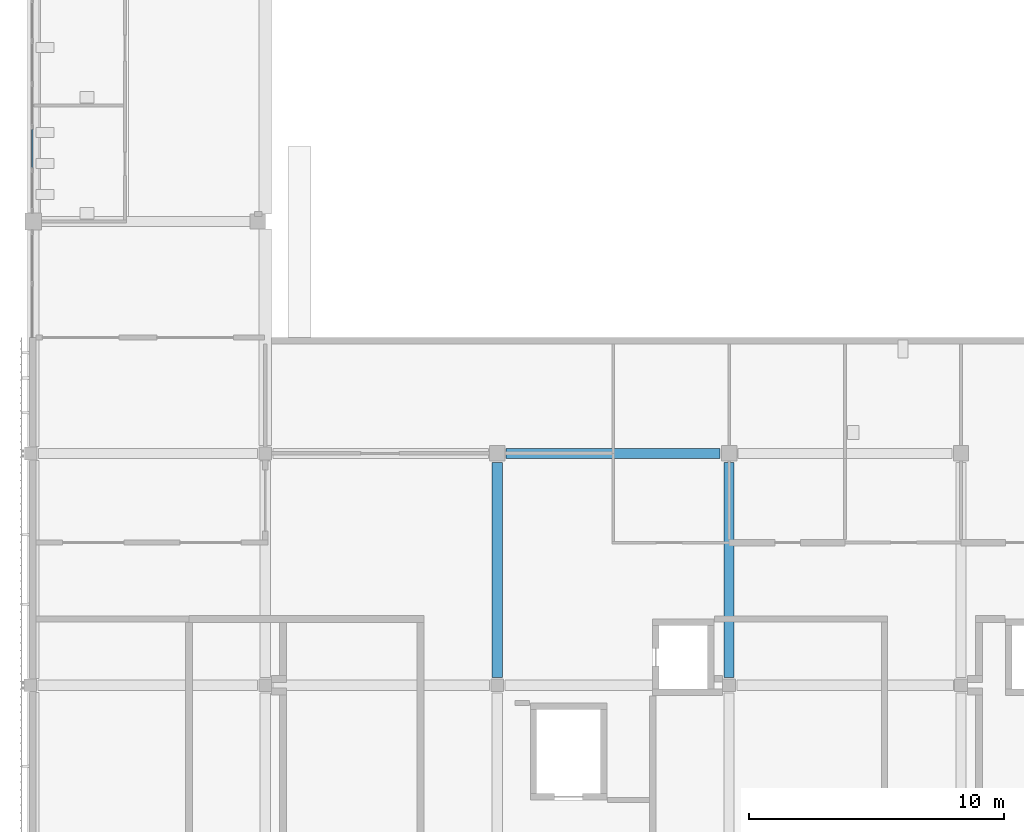
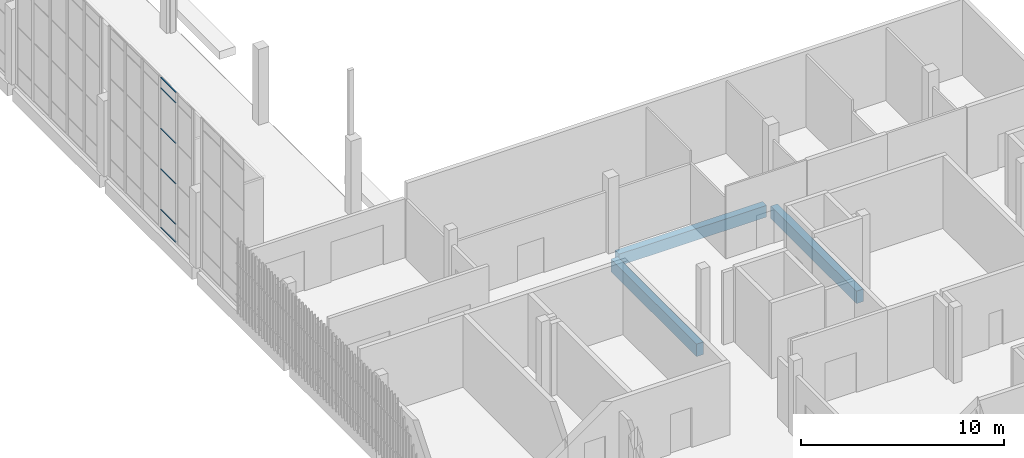
# One storey, part 8 of 91: 6 members, 3 beams, 1 element without a shape of its own.
"""IFC4 building model written with IfcOpenShell, lengths in metres."""

from ifc_helpers import new_model, si_unit, direction, frame, origin, origin_2d, place, context, subcontext, project, spatial, rectangle, hollow_rectangle, extrude, material, layer, layer_set, material_profile, profile_set, type_object, element, aggregate, save


model = new_model("IFC4")

# Units and contexts
model_context = context("Model", 3, precision=1e-05, world=origin(), true_north=direction((0.0, 1.0)))
body_context = subcontext(model_context, "Body", "Model", "MODEL_VIEW")
ifc_project = project(units=[si_unit("LENGTHUNIT", "METRE"), si_unit("AREAUNIT", "SQUARE_METRE"), si_unit("VOLUMEUNIT", "CUBIC_METRE"), si_unit("PLANEANGLEUNIT", "RADIAN"), si_unit("MASSUNIT", "GRAM", prefix="KILO")], contexts=[model_context])

# Site, building, storey
site_placement = place(None, origin())
site = spatial("IfcSite", under=ifc_project, at=site_placement, CompositionType="ELEMENT")
building_placement = place(site_placement, origin())
building = spatial("IfcBuilding", under=site, at=building_placement, Name="Shirokan Park Arena", CompositionType="ELEMENT")
storey_placement = place(building_placement, frame((0.0, 0.0, 24.570068359375)))
storey = spatial("IfcBuildingStorey", under=building, at=storey_placement, Name="L05", CompositionType="ELEMENT", Elevation=24.570068359375)

# Beams
ifc_material_1 = material(Name="Concrete C35", Category="concrete")
ifc_material_profile_1 = material_profile(ifc_material_1, rectangle(XDim=0.39990234375, YDim=0.699951171875, at=origin_2d()), Name="400x700")
ifc_profile_set_1 = profile_set([ifc_material_profile_1], Name="Concrete C35")
beam_type_1 = type_object("IfcBeamType", Name="RC girder 400x700", PredefinedType="BEAM", material=ifc_profile_set_1)
beam_placement = place(storey_placement, frame((18.550048828125, 36.39990234375, -0.650146484375), z_axis=(1.0, 0.0, 0.0), x_axis=(0.0, 1.0, 0.0)))
element("IfcBeam", 1, at=beam_placement, inside=storey, type_object=beam_type_1, Name="Girder 3E-4E L05", PredefinedType="BEAM", context=body_context, shape_type="SweptSolid", body=[
    extrude(rectangle(XDim=0.39990234375, YDim=0.699951171875, at=origin_2d()), origin(), (0.0, 0.0, 1.0), 8.39990234375),
])
ifc_material_profile_2 = material_profile(ifc_material_1, rectangle(XDim=0.39990234375, YDim=0.75, at=origin_2d()), Name="400x750")
ifc_profile_set_2 = profile_set([ifc_material_profile_2], Name="Concrete C35")
beam_type_2 = type_object("IfcBeamType", Name="RC girder 400x750", PredefinedType="BEAM", material=ifc_profile_set_2)
for number, where, z_axis, x_axis, name in (
    (2, (18.199951171875, 27.60009765625, -0.675048828125), (0.0, 1.0, 0.0), (-1.0, 0.0, 0.0), "Girder 3D-3E L05"),
    (3, (27.300048828125, 27.60009765625, -0.675048828125), (0.0, 1.0, 0.0), (-1.0, 0.0, 0.0), "Girder 4D-4E L05"),
):
    element("IfcBeam", number, at=place(storey_placement, frame(where, z_axis=z_axis, x_axis=x_axis)), inside=storey, type_object=beam_type_2, Name=name, PredefinedType="BEAM", context=body_context, shape_type="SweptSolid", body=[
        extrude(rectangle(XDim=0.39990234375, YDim=0.75, at=origin_2d()), origin(), (0.0, 0.0, 1.0), 8.44970703125),
    ])

# Curtain wall, members
ifc_material_2 = material(Name="Steel and glass curtain wall", Category="steel")
ifc_layer = layer(ifc_material_2, 0.199951171875)
ifc_layer_set = layer_set([ifc_layer], Name="Steel and glass curtain wall 200 mm")
curtain_wall_type = type_object("IfcCurtainWallType", Name="Curtain wall hall bay 200", PredefinedType="NOTDEFINED", material=ifc_layer_set)
curtain_wall_placement = place(storey_placement, origin())
curtain_wall = element("IfcCurtainWall", 4, at=curtain_wall_placement, inside=storey, type_object=curtain_wall_type, Name="Curtain wall west bay 7 L05", PredefinedType="NOTDEFINED")
ifc_material_3 = material(Name="Steel S355", Category="steel")
ifc_material_profile_3 = material_profile(ifc_material_3, hollow_rectangle(XDim=0.06005859375, YDim=0.0400390625, WallThickness=0.00390625, at=origin_2d()), Name="RHS 60x40x4")
ifc_profile_set_3 = profile_set([ifc_material_profile_3], Name="Steel S355")
member_type = type_object("IfcMemberType", Name="Transom RHS 60x40x4", PredefinedType="MULLION", material=ifc_profile_set_3)
member_1_placement = place(storey_placement, frame((-0.050048828125, 49.10498046875, 0.02001953125), z_axis=(0.0, -1.0, 0.0), x_axis=(1.0, 0.0, 0.0)))
member_1 = element("IfcMember", 5, at=member_1_placement, type_object=member_type, Name="CW5 transom 4.1", PredefinedType="MULLION", context=body_context, shape_type="SweptSolid", body=[
    extrude(hollow_rectangle(XDim=0.06005859375, YDim=0.0400390625, WallThickness=0.00390625, at=origin_2d()), origin(), (0.0, 0.0, 1.0), 1.489990234375),
])
member_2_placement = place(storey_placement, frame((-0.050048828125, 49.10498046875, 1.099853515625), z_axis=(0.0, -1.0, 0.0), x_axis=(1.0, 0.0, 0.0)))
member_2 = element("IfcMember", 6, at=member_2_placement, type_object=member_type, Name="CW5 transom 4.2", PredefinedType="MULLION", context=body_context, shape_type="SweptSolid", body=[
    extrude(hollow_rectangle(XDim=0.06005859375, YDim=0.0400390625, WallThickness=0.00390625, at=origin_2d()), origin(), (0.0, 0.0, 1.0), 1.489990234375),
])
member_3_placement = place(storey_placement, frame((-0.050048828125, 49.10498046875, 3.533203125), z_axis=(0.0, -1.0, 0.0), x_axis=(1.0, 0.0, 0.0)))
member_3 = element("IfcMember", 7, at=member_3_placement, type_object=member_type, Name="CW5 transom 4.3", PredefinedType="MULLION", context=body_context, shape_type="SweptSolid", body=[
    extrude(hollow_rectangle(XDim=0.06005859375, YDim=0.0400390625, WallThickness=0.00390625, at=origin_2d()), origin(), (0.0, 0.0, 1.0), 1.489990234375),
])
member_4_placement = place(storey_placement, frame((-0.050048828125, 49.10498046875, 5.966552734375), z_axis=(0.0, -1.0, 0.0), x_axis=(1.0, 0.0, 0.0)))
member_4 = element("IfcMember", 8, at=member_4_placement, type_object=member_type, Name="CW5 transom 4.4", PredefinedType="MULLION", context=body_context, shape_type="SweptSolid", body=[
    extrude(hollow_rectangle(XDim=0.06005859375, YDim=0.0400390625, WallThickness=0.00390625, at=origin_2d()), origin(), (0.0, 0.0, 1.0), 1.489990234375),
])
member_5_placement = place(storey_placement, frame((-0.050048828125, 49.10498046875, 8.39990234375), z_axis=(0.0, -1.0, 0.0), x_axis=(1.0, 0.0, 0.0)))
member_5 = element("IfcMember", 9, at=member_5_placement, type_object=member_type, Name="CW5 transom 4.5", PredefinedType="MULLION", context=body_context, shape_type="SweptSolid", body=[
    extrude(hollow_rectangle(XDim=0.06005859375, YDim=0.0400390625, WallThickness=0.00390625, at=origin_2d()), origin(), (0.0, 0.0, 1.0), 1.489990234375),
])
member_6_placement = place(storey_placement, frame((-0.050048828125, 49.10498046875, 9.030029296875), z_axis=(0.0, -1.0, 0.0), x_axis=(1.0, 0.0, 0.0)))
member_6 = element("IfcMember", 10, at=member_6_placement, type_object=member_type, Name="CW5 transom 4.6", PredefinedType="MULLION", context=body_context, shape_type="SweptSolid", body=[
    extrude(hollow_rectangle(XDim=0.06005859375, YDim=0.0400390625, WallThickness=0.00390625, at=origin_2d()), origin(), (0.0, 0.0, 1.0), 1.489990234375),
])
aggregate(curtain_wall, [member_1, member_2, member_3, member_4, member_5, member_6])

save(model, "model.ifc")
